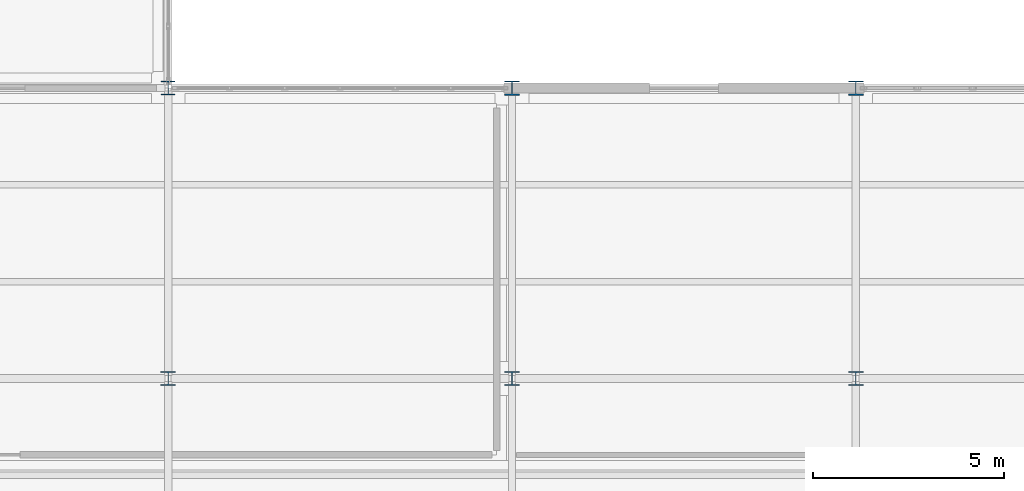
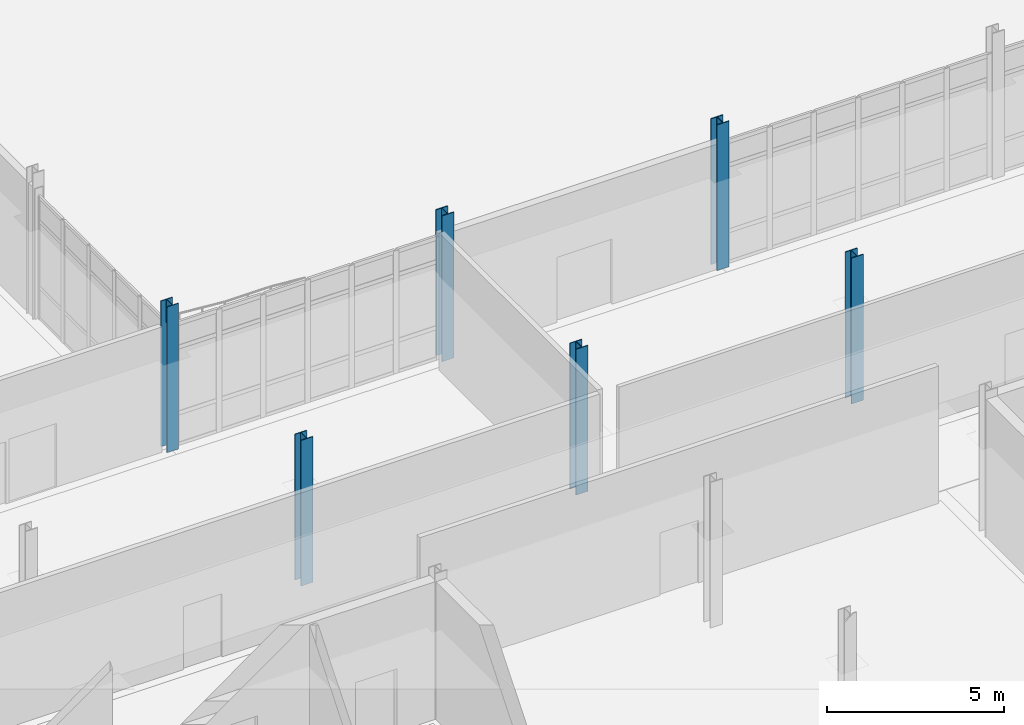
# One storey, part 11 of 161: 6 columns.
"""IFC4 building model written with IfcOpenShell, lengths in metres."""

from ifc_helpers import new_model, si_unit, direction, frame, origin, origin_2d, place, context, subcontext, project, spatial, i_section, extrude, material, material_profile, profile_set, type_object, element, save


model = new_model("IFC4")

# Units and contexts
model_context = context("Model", 3, precision=1e-05, world=origin(), true_north=direction((0.0, 1.0)))
body_context = subcontext(model_context, "Body", "Model", "MODEL_VIEW")
ifc_project = project(units=[si_unit("LENGTHUNIT", "METRE"), si_unit("AREAUNIT", "SQUARE_METRE"), si_unit("VOLUMEUNIT", "CUBIC_METRE"), si_unit("PLANEANGLEUNIT", "RADIAN"), si_unit("MASSUNIT", "GRAM", prefix="KILO")], contexts=[model_context])

# Site, building, storey
site_placement = place(None, origin())
site = spatial("IfcSite", under=ifc_project, at=site_placement, CompositionType="ELEMENT")
building_placement = place(site_placement, origin())
building = spatial("IfcBuilding", under=site, at=building_placement, Name="Caisbarro Railhouse Central Library", CompositionType="ELEMENT")
storey_placement = place(building_placement, origin())
storey = spatial("IfcBuildingStorey", under=building, at=storey_placement, Name="L00", CompositionType="ELEMENT", Elevation=0.0)

# Columns
ifc_material = material(Name="Steel ASTM A572 Grade 50", Category="steel")
ifc_material_profile_1 = material_profile(ifc_material, i_section(OverallWidth=0.39404296875, OverallDepth=0.375, WebThickness=0.017333984375, FlangeThickness=0.027587890625, FilletRadius=0.01806640625, at=origin_2d()), Name="W360X216.0")
ifc_profile_set_1 = profile_set([ifc_material_profile_1], Name="Steel ASTM A572 Grade 50")
column_type_1 = type_object("IfcColumnType", Name="COL-C01", PredefinedType="COLUMN", material=ifc_profile_set_1)
for number, where, z_axis, x_axis, name in (
    (1, (72.0, 22.800048828125, 0.0), (0.0, 0.0, 1.0), (1.0, 0.0, 0.0), "C01 column L00 (72.0,22.8)"),
    (2, (81.0, 22.800048828125, 0.0), (0.0, 0.0, 1.0), (1.0, 0.0, 0.0), "C01 column L00 (81.0,22.8)"),
    (3, (81.0, 30.39990234375, 0.0), (0.0, 0.0, 1.0), (1.0, 0.0, 0.0), "C01 column L00 (81.0,30.4)"),
    (4, (90.0, 22.800048828125, 0.0), (0.0, 0.0, 1.0), (1.0, 0.0, 0.0), "C01 column L00 (90.0,22.8)"),
    (5, (90.0, 30.39990234375, 0.0), (0.0, 0.0, 1.0), (1.0, 0.0, 0.0), "C01 column L00 (90.0,30.4)"),
):
    element("IfcColumn", number, at=place(storey_placement, frame(where, z_axis=z_axis, x_axis=x_axis)), inside=storey, type_object=column_type_1, Name=name, PredefinedType="COLUMN", context=body_context, shape_type="SweptSolid", body=[
        extrude(i_section(OverallWidth=0.39404296875, OverallDepth=0.375, WebThickness=0.017333984375, FlangeThickness=0.027587890625, FilletRadius=0.01806640625, at=origin_2d()), origin(), (0.0, 0.0, 1.0), 5.0400390625),
    ])
ifc_material_profile_2 = material_profile(ifc_material, i_section(OverallWidth=0.37109375, OverallDepth=0.364013671875, WebThickness=0.01318359375, FlangeThickness=0.021728515625, FilletRadius=0.01806640625, at=origin_2d()), Name="W360X162.0")
ifc_profile_set_2 = profile_set([ifc_material_profile_2], Name="Steel ASTM A572 Grade 50")
column_type_2 = type_object("IfcColumnType", Name="COL-C02", PredefinedType="COLUMN", material=ifc_profile_set_2)
column_placement = place(storey_placement, frame((72.0, 30.39990234375, 0.0), z_axis=(0.0, 0.0, 1.0), x_axis=(1.0, 0.0, 0.0)))
element("IfcColumn", 6, at=column_placement, inside=storey, type_object=column_type_2, Name="C02 column L00 (72.0,30.4)", PredefinedType="COLUMN", context=body_context, shape_type="SweptSolid", body=[
    extrude(i_section(OverallWidth=0.37109375, OverallDepth=0.364013671875, WebThickness=0.01318359375, FlangeThickness=0.021728515625, FilletRadius=0.01806640625, at=origin_2d()), origin(), (0.0, 0.0, 1.0), 5.0400390625),
])

save(model, "model.ifc")
